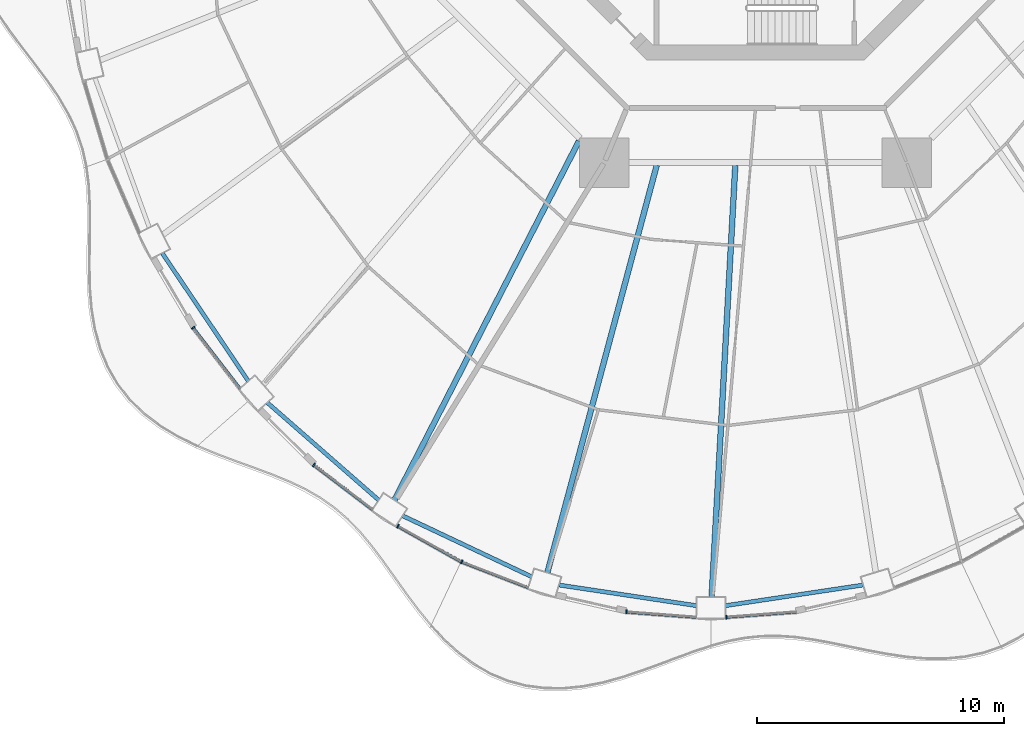
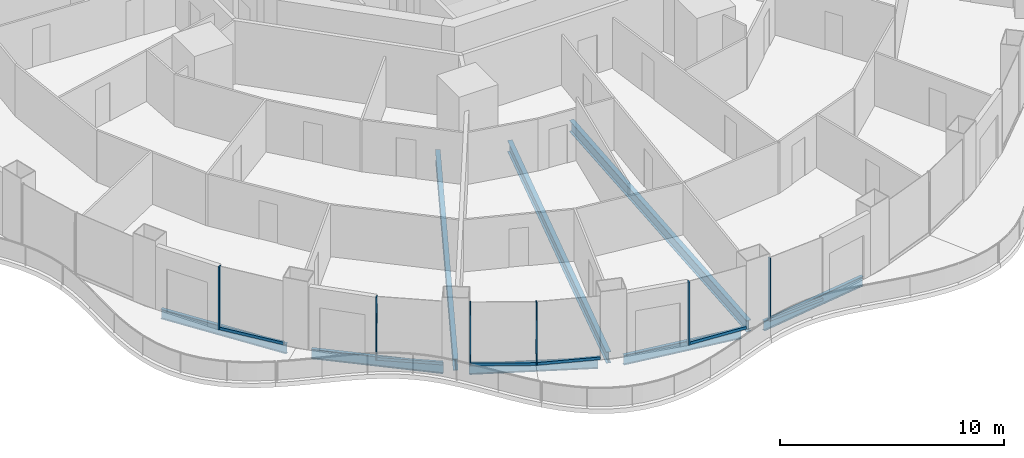
# One storey, part 2 of 20: 12 members, 8 beams, 6 elements without a shape of their own.
"""IFC4 building model written with IfcOpenShell, lengths in metres."""

import ifcopenshell
import ifcopenshell.guid

model = None  # the IFC model being written
_history = None  # IfcOwnerHistory: only IFC2X3 demands one
_inside = {}  # id of a spatial element -> (the spatial element, [elements in it])
_under = {}  # id of a project, library or spatial element -> (it, [spatial elements below it])
_declared = {}  # id of a project -> (the project, [libraries it declares])
_typed = {}  # id of a type object -> (the type object, [elements of that type])
_made_of = {}  # id of a material, layer set ... -> (it, [elements and type objects made of it])


def new_model(schema):
    """Start an empty IFC model of exactly this schema.

    Asked for "IFC4X3", IfcOpenShell would pick the latest addendum, in which some entities
    have other attributes; the version numbers below select the first issue.
    IFC2X3 requires an IfcOwnerHistory on every rooted entity: one is made here for all.
    """
    global model, _history
    if schema == "IFC4X3":
        model = ifcopenshell.file(schema_version=(4, 3, 0, 0))
    else:
        model = ifcopenshell.file(schema=schema)
    _inside.clear()
    _under.clear()
    _declared.clear()
    _typed.clear()
    _made_of.clear()
    _history = None
    if model.schema == "IFC2X3":
        org = make("IfcOrganization", Name="unknown")
        user = make(
            "IfcPersonAndOrganization",
            ThePerson=make("IfcPerson", FamilyName="unknown"),
            TheOrganization=org,
        )
        app = make(
            "IfcApplication",
            ApplicationDeveloper=org,
            Version="unknown",
            ApplicationFullName="unknown",
            ApplicationIdentifier="unknown",
        )
        _history = make(
            "IfcOwnerHistory",
            OwningUser=user,
            OwningApplication=app,
            ChangeAction="ADDED",
            CreationDate=0,
        )
    return model


def make(cls, **values):
    """One entity of the class cls with the attributes given. An attribute that is None is left unset."""
    return model.create_entity(
        cls, **{name: value for name, value in values.items() if value is not None}
    )


def rooted(cls, **values):
    """An entity with a GlobalId (a new one), such as an element, a storey or a relation."""
    return make(cls, GlobalId=ifcopenshell.guid.new(), OwnerHistory=_history, **values)


def si_unit(unit_type, name, prefix=None):
    """IfcSIUnit, for example si_unit("LENGTHUNIT", "METRE", prefix="MILLI")."""
    return make("IfcSIUnit", UnitType=unit_type, Prefix=prefix, Name=name)


def assignment(units):
    """IfcUnitAssignment: the units of a project."""
    return None if units is None else make("IfcUnitAssignment", Units=units)


def point(xyz):
    """IfcCartesianPoint."""
    return None if xyz is None else make("IfcCartesianPoint", Coordinates=xyz)


def direction(xyz):
    """IfcDirection."""
    return None if xyz is None else make("IfcDirection", DirectionRatios=xyz)


def frame(location, z_axis=None, x_axis=None):
    """IfcAxis2Placement3D, a coordinate frame: its origin and axes. An axis left out is left unset."""
    return make(
        "IfcAxis2Placement3D",
        Location=point(location),
        Axis=direction(z_axis),
        RefDirection=direction(x_axis),
    )


def frame_2d(location, x_axis=None):
    """IfcAxis2Placement2D, a coordinate frame in the plane: its origin and x axis."""
    return make(
        "IfcAxis2Placement2D", Location=point(location), RefDirection=direction(x_axis)
    )


def origin():
    """The frame at (0, 0, 0) with its axes left unset."""
    return frame((0.0, 0.0, 0.0))


def origin_2d():
    """The frame at (0, 0) in the plane with its x axis left unset."""
    return frame_2d((0.0, 0.0))


def place(relative_to, where):
    """IfcLocalPlacement: puts the frame where relative to a parent placement (None: the world)."""
    return make(
        "IfcLocalPlacement", PlacementRelTo=relative_to, RelativePlacement=where
    )


def context(
    kind, dimensions, precision=None, world=None, true_north=None, identifier=None
):
    """IfcGeometricRepresentationContext, for example the 3D "Model" context."""
    return make(
        "IfcGeometricRepresentationContext",
        ContextIdentifier=identifier,
        ContextType=kind,
        CoordinateSpaceDimension=dimensions,
        Precision=precision,
        WorldCoordinateSystem=world,
        TrueNorth=true_north,
    )


def subcontext(parent, identifier, kind, view, scale=None):
    """IfcGeometricRepresentationSubContext, for example "Body" below "Model"."""
    return make(
        "IfcGeometricRepresentationSubContext",
        ContextIdentifier=identifier,
        ContextType=kind,
        ParentContext=parent,
        TargetScale=scale,
        TargetView=view,
    )


def project(units=None, contexts=None):
    """IfcProject with its units and contexts."""
    return rooted(
        "IfcProject",
        Name="project",
        RepresentationContexts=contexts,
        UnitsInContext=assignment(units),
    )


def spatial(cls, under=None, at=None, **own):
    """A site, building, storey or space (cls), placed at a placement, below another one or the project."""
    s = rooted(cls, ObjectPlacement=at, **own)
    if under is not None:
        _under.setdefault(under.id(), (under, []))[1].append(s)
    return s


def profile(cls, at=None, kind="AREA", **sizes):
    """A parametric profile (cls). Its sizes go by their IFC names, for example OverallWidth=200.0."""
    return make(cls, ProfileType=kind, Position=at, **sizes)


def rectangle(**sizes):
    """IfcRectangleProfileDef."""
    return profile("IfcRectangleProfileDef", **sizes)


def i_section(**sizes):
    """IfcIShapeProfileDef."""
    return profile("IfcIShapeProfileDef", **sizes)


def extrude(swept, where, along, depth):
    """IfcExtrudedAreaSolid: the profile swept, set in the frame where, extruded along a direction by depth."""
    return make(
        "IfcExtrudedAreaSolid",
        SweptArea=swept,
        Position=where,
        ExtrudedDirection=direction(along),
        Depth=depth,
    )


def shape(context_of_items, identifier, shape_type, items):
    """IfcShapeRepresentation: the items that make up one representation, for example the "Body"."""
    return make(
        "IfcShapeRepresentation",
        ContextOfItems=context_of_items,
        RepresentationIdentifier=identifier,
        RepresentationType=shape_type,
        Items=items,
    )


def material(Name=None, Category=None):
    """IfcMaterial."""
    return make("IfcMaterial", Name=Name, Category=Category)


def layer(
    of_material, thickness, ventilated=None, Name=None, Category=None, Priority=None
):
    """IfcMaterialLayer: one layer of a wall or slab, of a material (None: an air gap)."""
    return make(
        "IfcMaterialLayer",
        Material=of_material,
        LayerThickness=thickness,
        IsVentilated=ventilated,
        Name=Name,
        Category=Category,
        Priority=Priority,
    )


def layer_set(layers, Name=None):
    """IfcMaterialLayerSet."""
    return make("IfcMaterialLayerSet", MaterialLayers=layers, LayerSetName=Name)


def material_profile(
    of_material, cross_section, Name=None, Category=None, Priority=None
):
    """IfcMaterialProfile: a cross section and its material."""
    return make(
        "IfcMaterialProfile",
        Name=Name,
        Material=of_material,
        Profile=cross_section,
        Priority=Priority,
        Category=Category,
    )


def profile_set(profiles, Name=None, composite=None):
    """IfcMaterialProfileSet."""
    return make(
        "IfcMaterialProfileSet",
        Name=Name,
        MaterialProfiles=profiles,
        CompositeProfile=composite,
    )


def made_of(thing, what):
    """Note that an element or type object is made of a material, layer set ...; save() writes the relation."""
    if what is not None:
        _made_of.setdefault(what.id(), (what, []))[1].append(thing)
    return thing


def type_object(cls, material=None, **own):
    """A type object (cls), such as IfcWallType, which elements share."""
    return made_of(rooted(cls, **own), material)


def element(
    cls,
    number,
    at=None,
    inside=None,
    cuts=None,
    type_object=None,
    material=None,
    context=None,
    identifier="Body",
    shape_type=None,
    held_by="IfcProductDefinitionShape",
    body=None,
    shapes=None,
    **own,
):
    """One element of the class cls, such as IfcWall. Its Tag is "e" and its number.

    at: its placement. inside: the storey or other place that contains it. cuts: it is an
    opening in that element (IfcRelVoidsElement). A single representation is given by context,
    identifier, shape_type and body (its items); several are given by shapes. held_by: the class
    of the entity that holds the representations. save() writes the other relations.
    """
    e = rooted(cls, Tag="e%d" % number, ObjectPlacement=at, **own)
    if body is not None:
        shapes = [shape(context, identifier, shape_type, body)]
    if shapes is not None:
        e.Representation = make(held_by, Representations=shapes)
    if inside is not None:
        _inside.setdefault(inside.id(), (inside, []))[1].append(e)
    if cuts is not None:
        rooted(
            "IfcRelVoidsElement", RelatingBuildingElement=cuts, RelatedOpeningElement=e
        )
    if type_object is not None:
        _typed.setdefault(type_object.id(), (type_object, []))[1].append(e)
    return made_of(e, material)


def aggregate(whole, parts):
    """IfcRelAggregates: a whole, such as a stair, and the parts it consists of."""
    return rooted("IfcRelAggregates", RelatingObject=whole, RelatedObjects=parts)


def save(model, path):
    """Write the relations noted so far, then the file.

    IfcRelAggregates (storeys below a building ...), IfcRelContainedInSpatialStructure (elements
    in a storey), IfcRelDefinesByType, IfcRelAssociatesMaterial and IfcRelDeclares: one each for
    every whole, place, type object, material and project.
    """
    for whole, parts in _under.values():
        aggregate(whole, parts)
    for where, things in _inside.values():
        rooted(
            "IfcRelContainedInSpatialStructure",
            RelatedElements=things,
            RelatingStructure=where,
        )
    for kind, things in _typed.values():
        rooted("IfcRelDefinesByType", RelatedObjects=things, RelatingType=kind)
    for what, things in _made_of.values():
        rooted("IfcRelAssociatesMaterial", RelatedObjects=things, RelatingMaterial=what)
    for by, libraries in _declared.values():
        rooted("IfcRelDeclares", RelatingContext=by, RelatedDefinitions=libraries)
    model.write(path)


model = new_model("IFC4")

# Units and contexts
model_context = context("Model", 3, precision=1e-05, world=origin(), true_north=direction((0.0, 1.0)))
body_context = subcontext(model_context, "Body", "Model", "MODEL_VIEW")
ifc_project = project(units=[si_unit("LENGTHUNIT", "METRE"), si_unit("AREAUNIT", "SQUARE_METRE"), si_unit("VOLUMEUNIT", "CUBIC_METRE"), si_unit("PLANEANGLEUNIT", "RADIAN"), si_unit("MASSUNIT", "GRAM", prefix="KILO")], contexts=[model_context])

# Site, building, storey
site_placement = place(None, origin())
site = spatial("IfcSite", under=ifc_project, at=site_placement, CompositionType="ELEMENT")
building_placement = place(site_placement, origin())
building = spatial("IfcBuilding", under=site, at=building_placement, Name="Nagisa Residences", CompositionType="ELEMENT")
storey_placement = place(building_placement, frame((0.0, 0.0, 145.5)))
storey = spatial("IfcBuildingStorey", under=building, at=storey_placement, Name="L36", CompositionType="ELEMENT", Elevation=145.5)

# Curtain wall, member
ifc_material_1 = material(Name="Concrete-coloured aluminium curtain wall system", Category="concrete")
ifc_layer = layer(ifc_material_1, 0.159912109375)
ifc_layer_set = layer_set([ifc_layer], Name="CW1 CURTAIN WALL")
curtain_wall_type = type_object("IfcCurtainWallType", Name="CW1 CURTAIN WALL", PredefinedType="NOTDEFINED", material=ifc_layer_set)
curtain_wall_1_placement = place(storey_placement, origin())
curtain_wall_1 = element("IfcCurtainWall", 1, at=curtain_wall_1_placement, inside=storey, type_object=curtain_wall_type, Name="cw:CW1:L36:29", PredefinedType="NOTDEFINED")
ifc_material_2 = material(Name="Concrete-coloured aluminium", Category="concrete")
ifc_material_profile_1 = material_profile(ifc_material_2, rectangle(XDim=0.159912109375, YDim=0.06005859375, at=origin_2d()), Name="CW1 MULLION 160x60")
ifc_profile_set_1 = profile_set([ifc_material_profile_1], Name="Concrete-coloured aluminium")
member_type_1 = type_object("IfcMemberType", Name="CW1 MULLION 160x60", PredefinedType="MULLION", material=ifc_profile_set_1)
member_1_placement = place(storey_placement, frame((-22.77001953125, -21.47412109375, 0.0), z_axis=(0.0, 0.0, 1.0), x_axis=(0.792070340816, 0.610429828235, 0.0)))
member_1 = element("IfcMember", 2, at=member_1_placement, type_object=member_type_1, Name="CW1 mullion", PredefinedType="MULLION", context=body_context, shape_type="SweptSolid", body=[
    extrude(rectangle(XDim=0.159912109375, YDim=0.06005859375, at=origin_2d()), origin(), (0.0, 0.0, 1.0), 3.43994140625),
])

curtain_wall_2_placement = place(storey_placement, origin())
curtain_wall_2 = element("IfcCurtainWall", 3, at=curtain_wall_2_placement, inside=storey, type_object=curtain_wall_type, Name="cw:CW1:L36:31", PredefinedType="NOTDEFINED")
member_2_placement = place(storey_placement, frame((-17.881103515625, -27.027587890625, 0.0), z_axis=(0.0, 0.0, 1.0), x_axis=(0.605255421737, 0.79603132756, 0.0)))
member_2 = element("IfcMember", 4, at=member_2_placement, type_object=member_type_1, Name="CW1 mullion", PredefinedType="MULLION", context=body_context, shape_type="SweptSolid", body=[
    extrude(rectangle(XDim=0.159912109375, YDim=0.06005859375, at=origin_2d()), origin(), (0.0, 0.0, 1.0), 3.43994140625),
])

curtain_wall_3_placement = place(storey_placement, origin())
curtain_wall_3 = element("IfcCurtainWall", 5, at=curtain_wall_3_placement, inside=storey, type_object=curtain_wall_type, Name="cw:CW1:L36:32", PredefinedType="NOTDEFINED")
member_3_placement = place(storey_placement, frame((-14.47900390625, -29.505859375, 0.0), z_axis=(0.0, 0.0, 1.0), x_axis=(0.489376918501, 0.872072377523, 0.0)))
member_3 = element("IfcMember", 6, at=member_3_placement, type_object=member_type_1, Name="CW1 mullion", PredefinedType="MULLION", context=body_context, shape_type="SweptSolid", body=[
    extrude(rectangle(XDim=0.159912109375, YDim=0.06005859375, at=origin_2d()), origin(), (0.0, 0.0, 1.0), 3.43994140625),
])

curtain_wall_4_placement = place(storey_placement, origin())
curtain_wall_4 = element("IfcCurtainWall", 7, at=curtain_wall_4_placement, inside=storey, type_object=curtain_wall_type, Name="cw:CW1:L36:33", PredefinedType="NOTDEFINED")
member_4_placement = place(storey_placement, frame((-11.897705078125, -30.950439453125, 0.0), z_axis=(0.0, 0.0, 1.0), x_axis=(0.360327770268, 0.932825759707, 0.0)))
member_4 = element("IfcMember", 8, at=member_4_placement, type_object=member_type_1, Name="CW1 mullion", PredefinedType="MULLION", context=body_context, shape_type="SweptSolid", body=[
    extrude(rectangle(XDim=0.159912109375, YDim=0.06005859375, at=origin_2d()), origin(), (0.0, 0.0, 1.0), 3.43994140625),
])

curtain_wall_5_placement = place(storey_placement, origin())
curtain_wall_5 = element("IfcCurtainWall", 9, at=curtain_wall_5_placement, inside=storey, type_object=curtain_wall_type, Name="cw:CW1:L36:35", PredefinedType="NOTDEFINED")
member_5_placement = place(storey_placement, frame((-5.2275390625, -32.976806640625, 0.0), z_axis=(0.0, 0.0, 1.0), x_axis=(0.074377355493, 0.997230168512, 0.0)))
member_5 = element("IfcMember", 10, at=member_5_placement, type_object=member_type_1, Name="CW1 mullion", PredefinedType="MULLION", context=body_context, shape_type="SweptSolid", body=[
    extrude(rectangle(XDim=0.159912109375, YDim=0.06005859375, at=origin_2d()), origin(), (0.0, 0.0, 1.0), 3.43994140625),
])

curtain_wall_6_placement = place(storey_placement, origin())
curtain_wall_6 = element("IfcCurtainWall", 11, at=curtain_wall_6_placement, inside=storey, type_object=curtain_wall_type, Name="cw:CW1:L36:36", PredefinedType="NOTDEFINED")
member_6_placement = place(storey_placement, frame((-1.177734375, -33.18603515625, 0.0), z_axis=(0.0, 0.0, 1.0), x_axis=(-0.074377355493, 0.997230168512, 0.0)))
member_6 = element("IfcMember", 12, at=member_6_placement, type_object=member_type_1, Name="CW1 mullion", PredefinedType="MULLION", context=body_context, shape_type="SweptSolid", body=[
    extrude(rectangle(XDim=0.159912109375, YDim=0.06005859375, at=origin_2d()), origin(), (0.0, 0.0, 1.0), 3.43994140625),
])

# Member
ifc_material_3 = material(Name="Concrete-coloured aluminium", Category="concrete")
ifc_material_profile_2 = material_profile(ifc_material_3, rectangle(XDim=0.1201171875, YDim=0.14990234375, at=origin_2d()), Name="CW1 TRANSOM 120x150")
ifc_profile_set_2 = profile_set([ifc_material_profile_2], Name="Concrete-coloured aluminium")
member_type_2 = type_object("IfcMemberType", Name="CW1 TRANSOM 120x150", PredefinedType="USERDEFINED", material=ifc_profile_set_2)
member_7_placement = place(storey_placement, frame((-22.788330078125, -21.450439453125, 0.074951171875), z_axis=(0.610429847179, -0.792070326217, 0.0), x_axis=(0.792070326217, 0.610429847179, 0.0)))
member_7 = element("IfcMember", 13, at=member_7_placement, type_object=member_type_2, Name="CW1 transom", ObjectType="TRANSOM", PredefinedType="USERDEFINED", context=body_context, shape_type="SweptSolid", body=[
    extrude(rectangle(XDim=0.1201171875, YDim=0.14990234375, at=origin_2d()), origin(), (0.0, 0.0, 1.0), 3.149169921875),
])

aggregate(curtain_wall_1, [member_1, member_7])

member_8_placement = place(storey_placement, frame((-17.905029296875, -27.00927734375, 0.074951171875), z_axis=(0.796022231079, -0.605267385233, 0.0), x_axis=(0.605267385233, 0.796022231079, 0.0)))
member_8 = element("IfcMember", 14, at=member_8_placement, type_object=member_type_2, Name="CW1 transom", ObjectType="TRANSOM", PredefinedType="USERDEFINED", context=body_context, shape_type="SweptSolid", body=[
    extrude(rectangle(XDim=0.1201171875, YDim=0.14990234375, at=origin_2d()), origin(), (0.0, 0.0, 1.0), 3.025634765625),
])

aggregate(curtain_wall_2, [member_2, member_8])

member_9_placement = place(storey_placement, frame((-14.505126953125, -29.4912109375, 0.074951171875), z_axis=(0.87206688547, -0.489386705241, 0.0), x_axis=(0.489386705241, 0.87206688547, 0.0)))
member_9 = element("IfcMember", 15, at=member_9_placement, type_object=member_type_2, Name="CW1 transom", ObjectType="TRANSOM", PredefinedType="USERDEFINED", context=body_context, shape_type="SweptSolid", body=[
    extrude(rectangle(XDim=0.1201171875, YDim=0.14990234375, at=origin_2d()), origin(), (0.0, 0.0, 1.0), 2.9697265625),
])

aggregate(curtain_wall_3, [member_3, member_9])

member_10_placement = place(storey_placement, frame((-11.92578125, -30.939697265625, 0.074951171875), z_axis=(0.932845344347, -0.360277064952, 0.0), x_axis=(0.360277064952, 0.932845344347, 0.0)))
member_10 = element("IfcMember", 16, at=member_10_placement, type_object=member_type_2, Name="CW1 transom", ObjectType="TRANSOM", PredefinedType="USERDEFINED", context=body_context, shape_type="SweptSolid", body=[
    extrude(rectangle(XDim=0.1201171875, YDim=0.14990234375, at=origin_2d()), origin(), (0.0, 0.0, 1.0), 2.92333984375),
])

aggregate(curtain_wall_4, [member_4, member_10])

member_11_placement = place(storey_placement, frame((-5.257568359375, -32.974609375, 0.074951171875), z_axis=(0.997232166829, -0.074350557769, 0.0), x_axis=(0.074350557769, 0.997232166829, 0.0)))
member_11 = element("IfcMember", 17, at=member_11_placement, type_object=member_type_2, Name="CW1 transom", ObjectType="TRANSOM", PredefinedType="USERDEFINED", context=body_context, shape_type="SweptSolid", body=[
    extrude(rectangle(XDim=0.1201171875, YDim=0.14990234375, at=origin_2d()), origin(), (0.0, 0.0, 1.0), 2.873291015625),
])

aggregate(curtain_wall_5, [member_5, member_11])

member_12_placement = place(storey_placement, frame((-1.20751953125, -33.188232421875, 0.074951171875), z_axis=(0.997231697044, 0.074356858535, 0.0), x_axis=(-0.074356858535, 0.997231697044, 0.0)))
member_12 = element("IfcMember", 18, at=member_12_placement, type_object=member_type_2, Name="CW1 transom", ObjectType="TRANSOM", PredefinedType="USERDEFINED", context=body_context, shape_type="SweptSolid", body=[
    extrude(rectangle(XDim=0.1201171875, YDim=0.14990234375, at=origin_2d()), origin(), (0.0, 0.0, 1.0), 2.873046875),
])

aggregate(curtain_wall_6, [member_6, member_12])

# Beams
ifc_material_4 = material(Name="Steel ASTM A572 Gr 50", Category="steel")
ifc_material_profile_3 = material_profile(ifc_material_4, i_section(OverallWidth=0.166015625, OverallDepth=0.534912109375, WebThickness=0.01025390625, FlangeThickness=0.0166015625, at=origin_2d()), Name="W530x85")
ifc_profile_set_3 = profile_set([ifc_material_profile_3], Name="Steel ASTM A572 Gr 50")
beam_type_1 = type_object("IfcBeamType", Name="Perimeter ring beam W530x85", PredefinedType="BEAM", material=ifc_profile_set_3)
beam_1_placement = place(storey_placement, frame((-24.020751953125, -18.4501953125, -0.527587890625), z_axis=(0.558187951157, -0.82971453596, 0.0), x_axis=(0.82971453596, 0.558187951157, 0.0)))
element("IfcBeam", 19, at=beam_1_placement, inside=storey, type_object=beam_type_1, Name="beam:L36:pb15", PredefinedType="BEAM", context=body_context, shape_type="SweptSolid", body=[
    extrude(i_section(OverallWidth=0.166015625, OverallDepth=0.534912109375, WebThickness=0.01025390625, FlangeThickness=0.0166015625, at=origin_2d()), origin(), (0.0, 0.0, 1.0), 6.24267578125),
])
beam_2_placement = place(storey_placement, frame((-19.769287109375, -24.500732421875, -0.527587890625), z_axis=(0.75252371036, -0.658565156493, 0.0), x_axis=(0.658565156493, 0.75252371036, 0.0)))
element("IfcBeam", 20, at=beam_2_placement, inside=storey, type_object=beam_type_1, Name="beam:L36:pb16", PredefinedType="BEAM", context=body_context, shape_type="SweptSolid", body=[
    extrude(i_section(OverallWidth=0.166015625, OverallDepth=0.534912109375, WebThickness=0.01025390625, FlangeThickness=0.0166015625, at=origin_2d()), origin(), (0.0, 0.0, 1.0), 5.994384765625),
])
beam_3_placement = place(storey_placement, frame((-14.287841796875, -29.084716796875, -0.527587890625), z_axis=(0.904186034847, -0.427138870143, 0.0), x_axis=(0.427138870143, 0.904186034847, 0.0)))
element("IfcBeam", 21, at=beam_3_placement, inside=storey, type_object=beam_type_1, Name="beam:L36:pb17", PredefinedType="BEAM", context=body_context, shape_type="SweptSolid", body=[
    extrude(i_section(OverallWidth=0.166015625, OverallDepth=0.534912109375, WebThickness=0.01025390625, FlangeThickness=0.0166015625, at=origin_2d()), origin(), (0.0, 0.0, 1.0), 5.772216796875),
])
for number, where, z_axis, x_axis, name in (
    (22, (-7.958251953125, -31.887939453125, -0.527587890625), (0.9889122118, -0.148501304214, 0.0), (0.148501304214, 0.9889122118, 0.0), "beam:L36:pb18"),
    (23, (-1.2197265625, -32.7255859375, -0.527587890625), (0.9889122118, 0.148501304214, 0.0), (-0.148501304214, 0.9889122118, 0.0), "beam:L36:pb19"),
):
    element("IfcBeam", number, at=place(storey_placement, frame(where, z_axis=z_axis, x_axis=x_axis)), inside=storey, type_object=beam_type_1, Name=name, PredefinedType="BEAM", context=body_context, shape_type="SweptSolid", body=[
        extrude(i_section(OverallWidth=0.166015625, OverallDepth=0.534912109375, WebThickness=0.01025390625, FlangeThickness=0.0166015625, at=origin_2d()), origin(), (0.0, 0.0, 1.0), 5.640625),
    ])
ifc_material_5 = material(Name="Steel ASTM A572 Gr 50", Category="steel")
ifc_material_profile_4 = material_profile(ifc_material_5, i_section(OverallWidth=0.22900390625, OverallDepth=0.612060546875, WebThickness=0.011962890625, FlangeThickness=0.01953125, at=origin_2d()), Name="W610x125")
ifc_profile_set_4 = profile_set([ifc_material_profile_4], Name="Steel ASTM A572 Gr 50")
beam_type_2 = type_object("IfcBeamType", Name="Radial beam W610x125", PredefinedType="BEAM", material=ifc_profile_set_4)
beam_4_placement = place(storey_placement, frame((-14.619873046875, -28.449462890625, -0.56591796875), z_axis=(0.457072968779, 0.889429199662, 0.0), x_axis=(-0.889429199662, 0.457072968779, 0.0)))
element("IfcBeam", 24, at=beam_4_placement, inside=storey, type_object=beam_type_2, Name="beam:L36:rb17", PredefinedType="BEAM", context=body_context, shape_type="SweptSolid", body=[
    extrude(i_section(OverallWidth=0.22900390625, OverallDepth=0.612060546875, WebThickness=0.011962890625, FlangeThickness=0.01953125, at=origin_2d()), origin(), (0.0, 0.0, 1.0), 16.347412109375),
])
beam_5_placement = place(storey_placement, frame((-8.4267578125, -31.38525390625, -0.56591796875), z_axis=(0.25930906211, 0.965794393392, 0.0), x_axis=(-0.965794393392, 0.25930906211, 0.0)))
element("IfcBeam", 25, at=beam_5_placement, inside=storey, type_object=beam_type_2, Name="beam:L36:rb18", PredefinedType="BEAM", context=body_context, shape_type="SweptSolid", body=[
    extrude(i_section(OverallWidth=0.22900390625, OverallDepth=0.612060546875, WebThickness=0.011962890625, FlangeThickness=0.01953125, at=origin_2d()), origin(), (0.0, 0.0, 1.0), 17.079833984375),
])
beam_6_placement = place(storey_placement, frame((-1.7763671875, -32.382568359375, -0.56591796875), z_axis=(0.054779249477, 0.998498489647, 0.0), x_axis=(-0.998498489647, 0.054779249477, 0.0)))
element("IfcBeam", 26, at=beam_6_placement, inside=storey, type_object=beam_type_2, Name="beam:L36:rb19", PredefinedType="BEAM", context=body_context, shape_type="SweptSolid", body=[
    extrude(i_section(OverallWidth=0.22900390625, OverallDepth=0.612060546875, WebThickness=0.011962890625, FlangeThickness=0.01953125, at=origin_2d()), origin(), (0.0, 0.0, 1.0), 17.519775390625),
])

save(model, "model.ifc")
